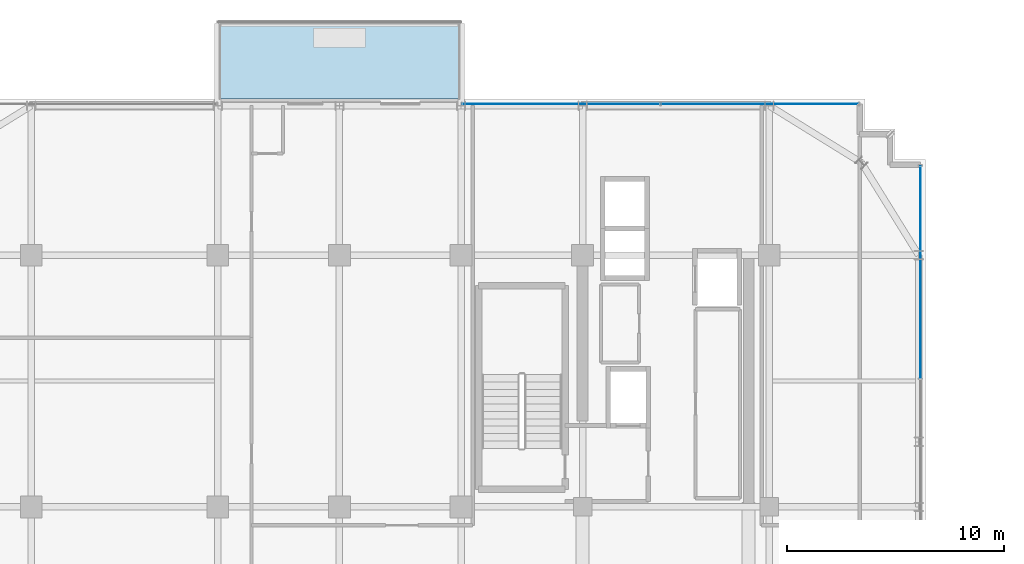
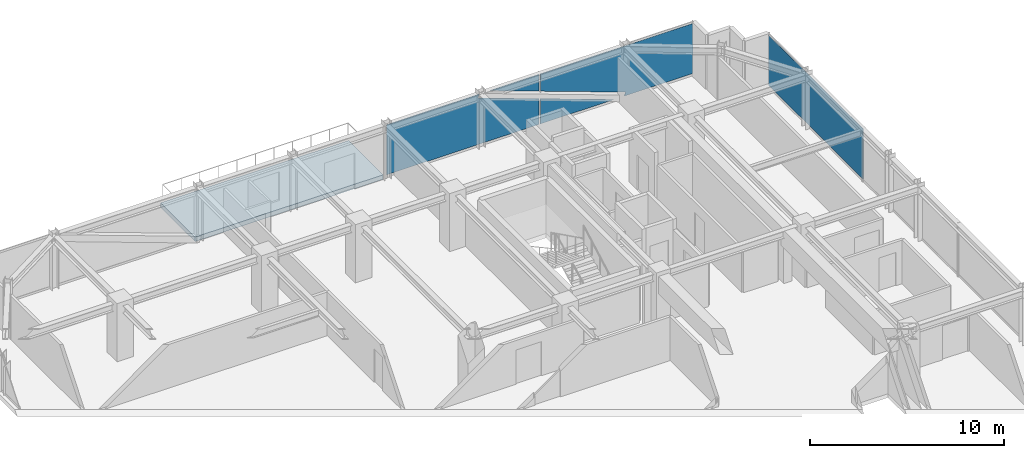
# One storey, part 34 of 42: 3 plates, 1 slab, 2 elements without a shape of their own.
"""IFC4 building model written with IfcOpenShell, lengths in metres."""

from ifc_helpers import new_model, si_unit, direction, frame, origin, origin_2d, place, context, subcontext, project, spatial, polyline, rectangle, outline, extrude, source, transform, mapped, material, layer, layer_set, type_object, element, aggregate, save


model = new_model("IFC4")

# Units and contexts
model_context = context("Model", 3, precision=1e-05, world=origin(), true_north=direction((0.0, 1.0)))
body_context = subcontext(model_context, "Body", "Model", "MODEL_VIEW")
ifc_project = project(units=[si_unit("LENGTHUNIT", "METRE"), si_unit("AREAUNIT", "SQUARE_METRE"), si_unit("VOLUMEUNIT", "CUBIC_METRE"), si_unit("PLANEANGLEUNIT", "RADIAN"), si_unit("MASSUNIT", "GRAM", prefix="KILO")], contexts=[model_context])

# Site, building, storey
site_placement = place(None, origin())
site = spatial("IfcSite", under=ifc_project, at=site_placement, CompositionType="ELEMENT")
building_placement = place(site_placement, origin())
building = spatial("IfcBuilding", under=site, at=building_placement, Name="Nahalor Promenade Grand Hotel", CompositionType="ELEMENT")
storey_placement = place(building_placement, frame((0.0, 0.0, 249.300048828125)))
storey = spatial("IfcBuildingStorey", under=building, at=storey_placement, Name="L64", CompositionType="ELEMENT", Elevation=249.300048828125)

# Curtain wall, plates
ifc_material_1 = material(Name="Anodised Bronze Aluminium EN AW-6063 T6", Category="aluminium")
curtain_wall_type = type_object("IfcCurtainWallType", Name="CW2 Typical Hotel Flush Bronze Unitised Curtain Wall", PredefinedType="USERDEFINED", material=ifc_material_1)
curtain_wall_1_placement = place(storey_placement, origin())
curtain_wall_1 = element("IfcCurtainWall", 1, at=curtain_wall_1_placement, inside=storey, type_object=curtain_wall_type, Name="L64 Curtain Wall CW-L64-N-3", ObjectType="UNITISED_CURTAIN_WALL", PredefinedType="USERDEFINED")
ifc_material_2 = material(Name="Low-E Laminated Solar Glass", Category="glass")
ifc_layer_1 = layer(ifc_material_2, 0.028076171875)
ifc_layer_set_1 = layer_set([ifc_layer_1], Name="Low-E Laminated Solar Glass")
plate_type = type_object("IfcPlateType", Name="CWP2 Bronze Low-E Vision IGU 28mm", PredefinedType="CURTAIN_PANEL", material=ifc_layer_set_1)
plate_1_placement = place(storey_placement, frame((7.40625, 23.9599609375, 0.1298828125), z_axis=(0.0, 0.0, 1.0), x_axis=(1.0, 0.0, 0.0)))
plate_1 = element("IfcPlate", 2, at=plate_1_placement, type_object=plate_type, Name="CW-L64-N-3 Glazing Panel 0-0", PredefinedType="CURTAIN_PANEL", context=body_context, shape_type="SweptSolid", body=[
    extrude(outline(polyline([(-4.541259765625, 0.0), (4.541259765625, 0.0), (4.541259765625, 1.60791015625), (0.893798828125, 2.927001953125), (0.974365234375, 3.14990234375), (-4.541259765625, 3.14990234375), (-4.541259765625, 0.0)])), frame((0.0, 0.01416015625, 0.0), z_axis=(0.0, -1.0, 0.0), x_axis=(1.0, 0.0, 0.0)), (0.0, 0.0, 1.0), 0.028076171875),
    extrude(outline(polyline([(4.541259765625, 2.08642578125), (4.541259765625, 3.14990234375), (1.60009765625, 3.14990234375), (4.541259765625, 2.08642578125)])), frame((0.0, 0.01416015625, 0.0), z_axis=(0.0, -1.0, 0.0), x_axis=(1.0, 0.0, 0.0)), (0.0, 0.0, 1.0), 0.028076171875),
])
plate_2_placement = place(storey_placement, frame((16.5537109375, 23.9599609375, 0.1298828125), z_axis=(0.0, 0.0, 1.0), x_axis=(1.0, 0.0, 0.0)))
plate_2 = element("IfcPlate", 3, at=plate_2_placement, type_object=plate_type, Name="CW-L64-N-3 Glazing Panel 1-0", PredefinedType="CURTAIN_PANEL", context=body_context, shape_type="SweptSolid", body=[
    extrude(outline(polyline([(4.541259765625, 3.14990234375), (-4.541259765625, 3.14990234375), (-4.541259765625, 2.06298828125), (0.54638671875, 0.22314453125), (0.465576171875, 0.0), (4.541259765625, 0.0), (4.541259765625, 3.14990234375)])), frame((0.0, 0.01416015625, 0.0), z_axis=(0.0, -1.0, 0.0), x_axis=(1.0, 0.0, 0.0)), (0.0, 0.0, 1.0), 0.028076171875),
    extrude(outline(polyline([(-4.541259765625, 1.58447265625), (-4.541259765625, 0.0), (-0.16015625, 0.0), (-4.541259765625, 1.58447265625)])), frame((0.0, 0.01416015625, 0.0), z_axis=(0.0, -1.0, 0.0), x_axis=(1.0, 0.0, 0.0)), (0.0, 0.0, 1.0), 0.028076171875),
])
aggregate(curtain_wall_1, [plate_1, plate_2])

# Slab
ifc_material_3 = material(Name="Concrete B-50 (C40/50)", Category="concrete")
ifc_layer_2 = layer(ifc_material_3, 0.280029296875)
ifc_layer_set_2 = layer_set([ifc_layer_2], Name="Concrete B-50 (C40/50)")
slab_type = type_object("IfcSlabType", Name="Slab-Balcony-280", PredefinedType="FLOOR", material=ifc_layer_set_2)
slab_placement = place(storey_placement, frame((0.0, 0.0, -0.280029296875)))
element("IfcSlab", 4, at=slab_placement, inside=storey, type_object=slab_type, Name="L64 Cantilevered Planted Balcony 1", PredefinedType="FLOOR", context=body_context, shape_type="SweptSolid", body=[
    extrude(outline(polyline([(-8.39990234375, 24.199951171875), (2.800048828125, 24.199951171875), (2.800048828125, 27.760009765625), (-8.39990234375, 27.760009765625), (-8.39990234375, 24.199951171875)])), origin(), (0.0, 0.0, 1.0), 0.280029296875),
])

# Curtain wall, plate
curtain_wall_2_placement = place(storey_placement, origin())
curtain_wall_2 = element("IfcCurtainWall", 5, at=curtain_wall_2_placement, inside=storey, type_object=curtain_wall_type, Name="L64 Curtain Wall CW-L64-E-3", ObjectType="UNITISED_CURTAIN_WALL", PredefinedType="USERDEFINED")
shared_shape = source(origin(), body_context, "Body", "SweptSolid", [
    extrude(rectangle(XDim=9.755859375, YDim=0.028076171875, at=origin_2d()), origin(), (0.0, 0.0, 1.0), 3.14990234375),
])
plate_3_placement = place(storey_placement, frame((23.9599609375, 16.217041015625, 0.1298828125), z_axis=(0.0, 0.0, 1.0), x_axis=(0.0, 1.0, 0.0)))
plate_3 = element("IfcPlate", 6, at=plate_3_placement, type_object=plate_type, Name="CW-L64-E-3 Glazing Panel 2-0", PredefinedType="CURTAIN_PANEL", context=body_context, shape_type="MappedRepresentation", body=[
    mapped(shared_shape, transform((0.0, 0.0, 0.0), scale=1.0)),
])
aggregate(curtain_wall_2, [plate_3])

save(model, "model.ifc")
